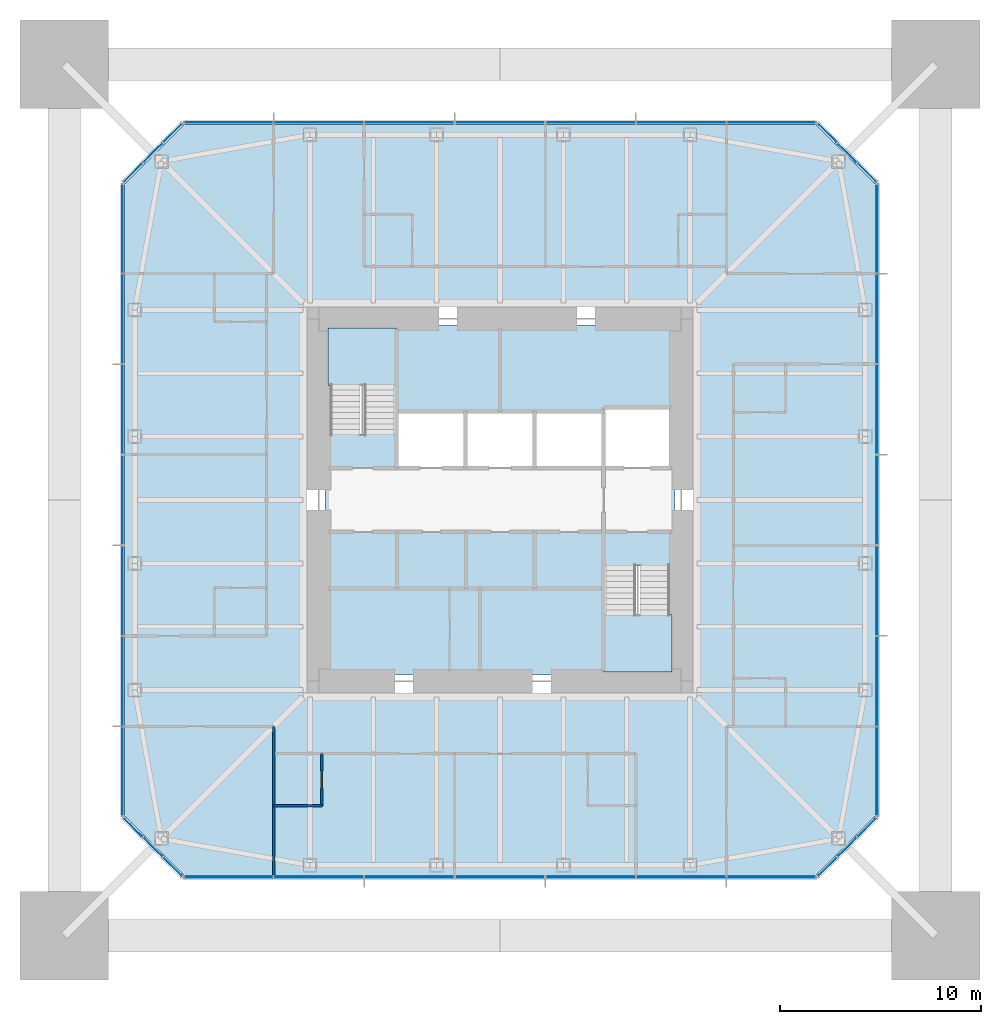
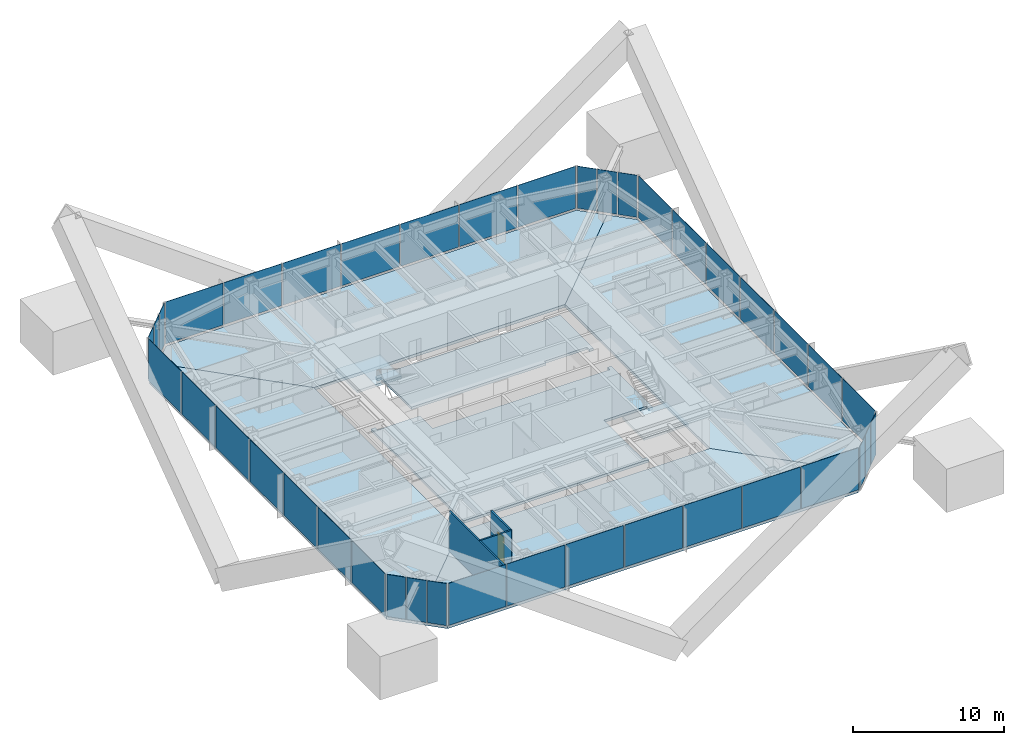
# One storey, part 7 of 13: 40 plates, 8 slabs, 3 walls, 1 door, 1 opening, 10 elements without a shape of their own.
"""IFC4 building model written with IfcOpenShell, lengths in metres."""

from ifc_helpers import new_model, si_unit, direction, frame, frame_2d, origin, origin_2d, place, context, subcontext, project, spatial, polyline, rectangle, outline, extrude, material, layer, layer_set, constituent, constituent_set, type_object, element, fill, aggregate, save


model = new_model("IFC4")

# Units and contexts
model_context = context("Model", 3, precision=1e-05, world=origin(), true_north=direction((0.0, 1.0)))
body_context = subcontext(model_context, "Body", "Model", "MODEL_VIEW")
ifc_project = project(units=[si_unit("LENGTHUNIT", "METRE"), si_unit("AREAUNIT", "SQUARE_METRE"), si_unit("VOLUMEUNIT", "CUBIC_METRE"), si_unit("PLANEANGLEUNIT", "RADIAN"), si_unit("MASSUNIT", "GRAM", prefix="KILO")], contexts=[model_context])

# Site, building, storey
site_placement = place(None, origin())
site = spatial("IfcSite", under=ifc_project, at=site_placement, CompositionType="ELEMENT")
building_placement = place(site_placement, origin())
building = spatial("IfcBuilding", under=site, at=building_placement, Name="Iwan Alto Co-Living Towers", CompositionType="ELEMENT")
storey_placement = place(building_placement, frame((0.0, 0.0, 198.5)))
storey = spatial("IfcBuildingStorey", under=building, at=storey_placement, Name="L54", CompositionType="ELEMENT", Elevation=198.5)

# Slabs
ifc_material_1 = material(Name="Concrete f'c 30 MPa", Category="concrete")
ifc_layer_1 = layer(ifc_material_1, 0.199951171875)
ifc_layer_set_1 = layer_set([ifc_layer_1], Name="CORE FLOOR SLAB 200")
slab_type_1 = type_object("IfcSlabType", Name="CORE FLOOR SLAB 200", PredefinedType="FLOOR", material=ifc_layer_set_1)
slab_1_placement = place(storey_placement, frame((0.0, 0.0, -0.199951171875)))
element("IfcSlab", 1, at=slab_1_placement, inside=storey, type_object=slab_type_1, Name="T1 core floor L54", PredefinedType="FLOOR", context=body_context, shape_type="SweptSolid", body=[
    extrude(outline(polyline([(5.14990234375, -8.39990234375), (5.4599609375, -8.39990234375), (5.4599609375, -8.699951171875), (-8.699951171875, -8.699951171875), (-8.699951171875, 3.580078125), (-8.39990234375, 3.580078125), (-8.39990234375, 3.27001953125), (-5.14990234375, 3.27001953125), (-5.14990234375, 1.60009765625), (-1.717041015625, 1.60009765625), (1.717041015625, 1.60009765625), (5.14990234375, 1.60009765625), (8.39990234375, 1.60009765625), (8.39990234375, 1.909912109375), (8.699951171875, 1.909912109375), (8.699951171875, -3.580078125), (8.39990234375, -3.580078125), (8.39990234375, -3.27001953125), (5.14990234375, -3.27001953125), (5.14990234375, -8.39990234375)])), origin(), (0.0, 0.0, 1.0), 0.199951171875),
])
slab_2_placement = place(storey_placement, frame((0.0, 0.0, -0.199951171875)))
element("IfcSlab", 2, at=slab_2_placement, inside=storey, type_object=slab_type_1, Name="T1 core floor L54", PredefinedType="FLOOR", context=body_context, shape_type="SweptSolid", body=[
    extrude(outline(polyline([(1.717041015625, 4.39990234375), (-1.717041015625, 4.39990234375), (-5.14990234375, 4.39990234375), (-5.14990234375, 8.39990234375), (-5.4599609375, 8.39990234375), (-5.4599609375, 8.699951171875), (8.699951171875, 8.699951171875), (8.699951171875, 4.2900390625), (8.39990234375, 4.2900390625), (8.39990234375, 4.60009765625), (5.14990234375, 4.60009765625), (5.14990234375, 4.39990234375), (1.717041015625, 4.39990234375)])), origin(), (0.0, 0.0, 1.0), 0.199951171875),
])

# Curtain wall, plates
ifc_material_2 = material(Name="Bronze aluminium unitised frame", Category="aluminium")
curtain_wall_type_1 = type_object("IfcCurtainWallType", Name="CURTAIN WALL CW-A", PredefinedType="NOTDEFINED", material=ifc_material_2)
curtain_wall_1_placement = place(storey_placement, origin())
curtain_wall_1 = element("IfcCurtainWall", 3, at=curtain_wall_1_placement, inside=storey, type_object=curtain_wall_type_1, Name="T1 curtain wall S L54", PredefinedType="NOTDEFINED")
ifc_material_3 = material(Name="Bronze-tinted insulating glass", Category="glass")
ifc_layer_2 = layer(ifc_material_3, 0.031982421875)
ifc_layer_set_2 = layer_set([ifc_layer_2], Name="CW-A PANEL TINTED IGU 32")
plate_type_1 = type_object("IfcPlateType", Name="CW-A PANEL TINTED IGU 32", PredefinedType="CURTAIN_PANEL", material=ifc_layer_set_2)
plate_1_placement = place(storey_placement, frame((-13.47998046875, -18.75, 0.10009765625), z_axis=(0.0, 0.0, 1.0), x_axis=(1.0, 0.0, 0.0)))
plate_1 = element("IfcPlate", 4, at=plate_1_placement, type_object=plate_type_1, Name="CW-A panel 1.1", PredefinedType="CURTAIN_PANEL", context=body_context, shape_type="SweptSolid", body=[
    extrude(rectangle(XDim=4.3798828125, YDim=0.031982421875, at=origin_2d()), origin(), (0.0, 0.0, 1.0), 3.39990234375),
])
plate_2_placement = place(storey_placement, frame((-9.0, -18.75, 0.10009765625), z_axis=(0.0, 0.0, 1.0), x_axis=(1.0, 0.0, 0.0)))
plate_2 = element("IfcPlate", 5, at=plate_2_placement, type_object=plate_type_1, Name="CW-A panel 2.1", PredefinedType="CURTAIN_PANEL", context=body_context, shape_type="SweptSolid", body=[
    extrude(rectangle(XDim=4.419921875, YDim=0.031982421875, at=origin_2d()), origin(), (0.0, 0.0, 1.0), 3.39990234375),
])
plate_3_placement = place(storey_placement, frame((-4.5, -18.75, 0.10009765625), z_axis=(0.0, 0.0, 1.0), x_axis=(1.0, 0.0, 0.0)))
plate_3 = element("IfcPlate", 6, at=plate_3_placement, type_object=plate_type_1, Name="CW-A panel 3.1", PredefinedType="CURTAIN_PANEL", context=body_context, shape_type="SweptSolid", body=[
    extrude(rectangle(XDim=4.419921875, YDim=0.031982421875, at=origin_2d()), origin(), (0.0, 0.0, 1.0), 3.39990234375),
])
plate_4_placement = place(storey_placement, frame((0.0, -18.75, 0.10009765625), z_axis=(0.0, 0.0, 1.0), x_axis=(1.0, 0.0, 0.0)))
plate_4 = element("IfcPlate", 7, at=plate_4_placement, type_object=plate_type_1, Name="CW-A panel 4.1", PredefinedType="CURTAIN_PANEL", context=body_context, shape_type="SweptSolid", body=[
    extrude(rectangle(XDim=4.419921875, YDim=0.031982421875, at=origin_2d()), origin(), (0.0, 0.0, 1.0), 3.39990234375),
])
plate_5_placement = place(storey_placement, frame((4.5, -18.75, 0.10009765625), z_axis=(0.0, 0.0, 1.0), x_axis=(1.0, 0.0, 0.0)))
plate_5 = element("IfcPlate", 8, at=plate_5_placement, type_object=plate_type_1, Name="CW-A panel 5.1", PredefinedType="CURTAIN_PANEL", context=body_context, shape_type="SweptSolid", body=[
    extrude(rectangle(XDim=4.419921875, YDim=0.031982421875, at=origin_2d()), origin(), (0.0, 0.0, 1.0), 3.39990234375),
])
plate_6_placement = place(storey_placement, frame((9.0, -18.75, 0.10009765625), z_axis=(0.0, 0.0, 1.0), x_axis=(1.0, 0.0, 0.0)))
plate_6 = element("IfcPlate", 9, at=plate_6_placement, type_object=plate_type_1, Name="CW-A panel 6.1", PredefinedType="CURTAIN_PANEL", context=body_context, shape_type="SweptSolid", body=[
    extrude(rectangle(XDim=4.419921875, YDim=0.031982421875, at=origin_2d()), origin(), (0.0, 0.0, 1.0), 3.39990234375),
])
plate_7_placement = place(storey_placement, frame((13.47998046875, -18.75, 0.10009765625), z_axis=(0.0, 0.0, 1.0), x_axis=(1.0, 0.0, 0.0)))
plate_7 = element("IfcPlate", 10, at=plate_7_placement, type_object=plate_type_1, Name="CW-A panel 7.1", PredefinedType="CURTAIN_PANEL", context=body_context, shape_type="SweptSolid", body=[
    extrude(rectangle(XDim=4.3798828125, YDim=0.031982421875, at=origin_2d()), origin(), (0.0, 0.0, 1.0), 3.39990234375),
])
aggregate(curtain_wall_1, [plate_1, plate_2, plate_3, plate_4, plate_5, plate_6, plate_7])

curtain_wall_2_placement = place(storey_placement, origin())
curtain_wall_2 = element("IfcCurtainWall", 11, at=curtain_wall_2_placement, inside=storey, type_object=curtain_wall_type_1, Name="T1 curtain wall E L54", PredefinedType="NOTDEFINED")
plate_8_placement = place(storey_placement, frame((18.75, -13.47998046875, 0.10009765625), z_axis=(0.0, 0.0, 1.0), x_axis=(0.0, 1.0, 0.0)))
plate_8 = element("IfcPlate", 12, at=plate_8_placement, type_object=plate_type_1, Name="CW-A panel 1.1", PredefinedType="CURTAIN_PANEL", context=body_context, shape_type="SweptSolid", body=[
    extrude(rectangle(XDim=4.3798828125, YDim=0.031982421875, at=origin_2d()), origin(), (0.0, 0.0, 1.0), 3.39990234375),
])
plate_9_placement = place(storey_placement, frame((18.75, -9.0, 0.10009765625), z_axis=(0.0, 0.0, 1.0), x_axis=(0.0, 1.0, 0.0)))
plate_9 = element("IfcPlate", 13, at=plate_9_placement, type_object=plate_type_1, Name="CW-A panel 2.1", PredefinedType="CURTAIN_PANEL", context=body_context, shape_type="SweptSolid", body=[
    extrude(rectangle(XDim=4.419921875, YDim=0.031982421875, at=origin_2d()), origin(), (0.0, 0.0, 1.0), 3.39990234375),
])
plate_10_placement = place(storey_placement, frame((18.75, -4.5, 0.10009765625), z_axis=(0.0, 0.0, 1.0), x_axis=(0.0, 1.0, 0.0)))
plate_10 = element("IfcPlate", 14, at=plate_10_placement, type_object=plate_type_1, Name="CW-A panel 3.1", PredefinedType="CURTAIN_PANEL", context=body_context, shape_type="SweptSolid", body=[
    extrude(rectangle(XDim=4.419921875, YDim=0.031982421875, at=origin_2d()), origin(), (0.0, 0.0, 1.0), 3.39990234375),
])
plate_11_placement = place(storey_placement, frame((18.75, 0.0, 0.10009765625), z_axis=(0.0, 0.0, 1.0), x_axis=(0.0, 1.0, 0.0)))
plate_11 = element("IfcPlate", 15, at=plate_11_placement, type_object=plate_type_1, Name="CW-A panel 4.1", PredefinedType="CURTAIN_PANEL", context=body_context, shape_type="SweptSolid", body=[
    extrude(rectangle(XDim=4.419921875, YDim=0.031982421875, at=origin_2d()), origin(), (0.0, 0.0, 1.0), 3.39990234375),
])
plate_12_placement = place(storey_placement, frame((18.75, 4.5, 0.10009765625), z_axis=(0.0, 0.0, 1.0), x_axis=(0.0, 1.0, 0.0)))
plate_12 = element("IfcPlate", 16, at=plate_12_placement, type_object=plate_type_1, Name="CW-A panel 5.1", PredefinedType="CURTAIN_PANEL", context=body_context, shape_type="SweptSolid", body=[
    extrude(rectangle(XDim=4.419921875, YDim=0.031982421875, at=origin_2d()), origin(), (0.0, 0.0, 1.0), 3.39990234375),
])
plate_13_placement = place(storey_placement, frame((18.75, 9.0, 0.10009765625), z_axis=(0.0, 0.0, 1.0), x_axis=(0.0, 1.0, 0.0)))
plate_13 = element("IfcPlate", 17, at=plate_13_placement, type_object=plate_type_1, Name="CW-A panel 6.1", PredefinedType="CURTAIN_PANEL", context=body_context, shape_type="SweptSolid", body=[
    extrude(rectangle(XDim=4.419921875, YDim=0.031982421875, at=origin_2d()), origin(), (0.0, 0.0, 1.0), 3.39990234375),
])
plate_14_placement = place(storey_placement, frame((18.75, 13.47998046875, 0.10009765625), z_axis=(0.0, 0.0, 1.0), x_axis=(0.0, 1.0, 0.0)))
plate_14 = element("IfcPlate", 18, at=plate_14_placement, type_object=plate_type_1, Name="CW-A panel 7.1", PredefinedType="CURTAIN_PANEL", context=body_context, shape_type="SweptSolid", body=[
    extrude(rectangle(XDim=4.3798828125, YDim=0.031982421875, at=origin_2d()), origin(), (0.0, 0.0, 1.0), 3.39990234375),
])
aggregate(curtain_wall_2, [plate_8, plate_9, plate_10, plate_11, plate_12, plate_13, plate_14])

curtain_wall_3_placement = place(storey_placement, origin())
curtain_wall_3 = element("IfcCurtainWall", 19, at=curtain_wall_3_placement, inside=storey, type_object=curtain_wall_type_1, Name="T1 curtain wall N L54", PredefinedType="NOTDEFINED")
plate_15_placement = place(storey_placement, frame((13.47998046875, 18.75, 0.10009765625), z_axis=(0.0, 0.0, 1.0), x_axis=(-1.0, 0.0, 0.0)))
plate_15 = element("IfcPlate", 20, at=plate_15_placement, type_object=plate_type_1, Name="CW-A panel 1.1", PredefinedType="CURTAIN_PANEL", context=body_context, shape_type="SweptSolid", body=[
    extrude(rectangle(XDim=4.3798828125, YDim=0.031982421875, at=origin_2d()), origin(), (0.0, 0.0, 1.0), 3.39990234375),
])
plate_16_placement = place(storey_placement, frame((9.0, 18.75, 0.10009765625), z_axis=(0.0, 0.0, 1.0), x_axis=(-1.0, 0.0, 0.0)))
plate_16 = element("IfcPlate", 21, at=plate_16_placement, type_object=plate_type_1, Name="CW-A panel 2.1", PredefinedType="CURTAIN_PANEL", context=body_context, shape_type="SweptSolid", body=[
    extrude(rectangle(XDim=4.419921875, YDim=0.031982421875, at=origin_2d()), origin(), (0.0, 0.0, 1.0), 3.39990234375),
])
plate_17_placement = place(storey_placement, frame((4.5, 18.75, 0.10009765625), z_axis=(0.0, 0.0, 1.0), x_axis=(-1.0, 0.0, 0.0)))
plate_17 = element("IfcPlate", 22, at=plate_17_placement, type_object=plate_type_1, Name="CW-A panel 3.1", PredefinedType="CURTAIN_PANEL", context=body_context, shape_type="SweptSolid", body=[
    extrude(rectangle(XDim=4.419921875, YDim=0.031982421875, at=origin_2d()), origin(), (0.0, 0.0, 1.0), 3.39990234375),
])
plate_18_placement = place(storey_placement, frame((0.0, 18.75, 0.10009765625), z_axis=(0.0, 0.0, 1.0), x_axis=(-1.0, 0.0, 0.0)))
plate_18 = element("IfcPlate", 23, at=plate_18_placement, type_object=plate_type_1, Name="CW-A panel 4.1", PredefinedType="CURTAIN_PANEL", context=body_context, shape_type="SweptSolid", body=[
    extrude(rectangle(XDim=4.419921875, YDim=0.031982421875, at=origin_2d()), origin(), (0.0, 0.0, 1.0), 3.39990234375),
])
plate_19_placement = place(storey_placement, frame((-4.5, 18.75, 0.10009765625), z_axis=(0.0, 0.0, 1.0), x_axis=(-1.0, 0.0, 0.0)))
plate_19 = element("IfcPlate", 24, at=plate_19_placement, type_object=plate_type_1, Name="CW-A panel 5.1", PredefinedType="CURTAIN_PANEL", context=body_context, shape_type="SweptSolid", body=[
    extrude(rectangle(XDim=4.419921875, YDim=0.031982421875, at=origin_2d()), origin(), (0.0, 0.0, 1.0), 3.39990234375),
])
plate_20_placement = place(storey_placement, frame((-9.0, 18.75, 0.10009765625), z_axis=(0.0, 0.0, 1.0), x_axis=(-1.0, 0.0, 0.0)))
plate_20 = element("IfcPlate", 25, at=plate_20_placement, type_object=plate_type_1, Name="CW-A panel 6.1", PredefinedType="CURTAIN_PANEL", context=body_context, shape_type="SweptSolid", body=[
    extrude(rectangle(XDim=4.419921875, YDim=0.031982421875, at=origin_2d()), origin(), (0.0, 0.0, 1.0), 3.39990234375),
])
plate_21_placement = place(storey_placement, frame((-13.47998046875, 18.75, 0.10009765625), z_axis=(0.0, 0.0, 1.0), x_axis=(-1.0, 0.0, 0.0)))
plate_21 = element("IfcPlate", 26, at=plate_21_placement, type_object=plate_type_1, Name="CW-A panel 7.1", PredefinedType="CURTAIN_PANEL", context=body_context, shape_type="SweptSolid", body=[
    extrude(rectangle(XDim=4.3798828125, YDim=0.031982421875, at=origin_2d()), origin(), (0.0, 0.0, 1.0), 3.39990234375),
])
aggregate(curtain_wall_3, [plate_15, plate_16, plate_17, plate_18, plate_19, plate_20, plate_21])

curtain_wall_4_placement = place(storey_placement, origin())
curtain_wall_4 = element("IfcCurtainWall", 27, at=curtain_wall_4_placement, inside=storey, type_object=curtain_wall_type_1, Name="T1 curtain wall W L54", PredefinedType="NOTDEFINED")
plate_22_placement = place(storey_placement, frame((-18.75, 13.47998046875, 0.10009765625), z_axis=(0.0, 0.0, 1.0), x_axis=(0.0, -1.0, 0.0)))
plate_22 = element("IfcPlate", 28, at=plate_22_placement, type_object=plate_type_1, Name="CW-A panel 1.1", PredefinedType="CURTAIN_PANEL", context=body_context, shape_type="SweptSolid", body=[
    extrude(rectangle(XDim=4.3798828125, YDim=0.031982421875, at=origin_2d()), origin(), (0.0, 0.0, 1.0), 3.39990234375),
])
plate_23_placement = place(storey_placement, frame((-18.75, 9.0, 0.10009765625), z_axis=(0.0, 0.0, 1.0), x_axis=(0.0, -1.0, 0.0)))
plate_23 = element("IfcPlate", 29, at=plate_23_placement, type_object=plate_type_1, Name="CW-A panel 2.1", PredefinedType="CURTAIN_PANEL", context=body_context, shape_type="SweptSolid", body=[
    extrude(rectangle(XDim=4.419921875, YDim=0.031982421875, at=origin_2d()), origin(), (0.0, 0.0, 1.0), 3.39990234375),
])
plate_24_placement = place(storey_placement, frame((-18.75, 4.5, 0.10009765625), z_axis=(0.0, 0.0, 1.0), x_axis=(0.0, -1.0, 0.0)))
plate_24 = element("IfcPlate", 30, at=plate_24_placement, type_object=plate_type_1, Name="CW-A panel 3.1", PredefinedType="CURTAIN_PANEL", context=body_context, shape_type="SweptSolid", body=[
    extrude(rectangle(XDim=4.419921875, YDim=0.031982421875, at=origin_2d()), origin(), (0.0, 0.0, 1.0), 3.39990234375),
])
plate_25_placement = place(storey_placement, frame((-18.75, 0.0, 0.10009765625), z_axis=(0.0, 0.0, 1.0), x_axis=(0.0, -1.0, 0.0)))
plate_25 = element("IfcPlate", 31, at=plate_25_placement, type_object=plate_type_1, Name="CW-A panel 4.1", PredefinedType="CURTAIN_PANEL", context=body_context, shape_type="SweptSolid", body=[
    extrude(rectangle(XDim=4.419921875, YDim=0.031982421875, at=origin_2d()), origin(), (0.0, 0.0, 1.0), 3.39990234375),
])
plate_26_placement = place(storey_placement, frame((-18.75, -4.5, 0.10009765625), z_axis=(0.0, 0.0, 1.0), x_axis=(0.0, -1.0, 0.0)))
plate_26 = element("IfcPlate", 32, at=plate_26_placement, type_object=plate_type_1, Name="CW-A panel 5.1", PredefinedType="CURTAIN_PANEL", context=body_context, shape_type="SweptSolid", body=[
    extrude(rectangle(XDim=4.419921875, YDim=0.031982421875, at=origin_2d()), origin(), (0.0, 0.0, 1.0), 3.39990234375),
])
plate_27_placement = place(storey_placement, frame((-18.75, -9.0, 0.10009765625), z_axis=(0.0, 0.0, 1.0), x_axis=(0.0, -1.0, 0.0)))
plate_27 = element("IfcPlate", 33, at=plate_27_placement, type_object=plate_type_1, Name="CW-A panel 6.1", PredefinedType="CURTAIN_PANEL", context=body_context, shape_type="SweptSolid", body=[
    extrude(rectangle(XDim=4.419921875, YDim=0.031982421875, at=origin_2d()), origin(), (0.0, 0.0, 1.0), 3.39990234375),
])
plate_28_placement = place(storey_placement, frame((-18.75, -13.47998046875, 0.10009765625), z_axis=(0.0, 0.0, 1.0), x_axis=(0.0, -1.0, 0.0)))
plate_28 = element("IfcPlate", 34, at=plate_28_placement, type_object=plate_type_1, Name="CW-A panel 7.1", PredefinedType="CURTAIN_PANEL", context=body_context, shape_type="SweptSolid", body=[
    extrude(rectangle(XDim=4.3798828125, YDim=0.031982421875, at=origin_2d()), origin(), (0.0, 0.0, 1.0), 3.39990234375),
])
aggregate(curtain_wall_4, [plate_22, plate_23, plate_24, plate_25, plate_26, plate_27, plate_28])

ifc_material_4 = material(Name="Bronze aluminium unitised frame", Category="aluminium")
curtain_wall_type_2 = type_object("IfcCurtainWallType", Name="CURTAIN WALL CW-B", PredefinedType="NOTDEFINED", material=ifc_material_4)
curtain_wall_5_placement = place(storey_placement, origin())
curtain_wall_5 = element("IfcCurtainWall", 35, at=curtain_wall_5_placement, inside=storey, type_object=curtain_wall_type_2, Name="T1 chamfer curtain wall SE L54", PredefinedType="NOTDEFINED")
ifc_material_5 = material(Name="Bronze-tinted insulating glass", Category="glass")
ifc_layer_3 = layer(ifc_material_5, 0.031982421875)
ifc_layer_set_3 = layer_set([ifc_layer_3], Name="CW-B PANEL TINTED IGU 32")
plate_type_2 = type_object("IfcPlateType", Name="CW-B PANEL TINTED IGU 32", PredefinedType="CURTAIN_PANEL", material=ifc_layer_set_3)
plate_29_placement = place(storey_placement, frame((16.26416015625, -18.23583984375, 0.10009765625), z_axis=(0.0, 0.0, 1.0), x_axis=(0.707106781187, 0.707106781187, 0.0)))
plate_29 = element("IfcPlate", 36, at=plate_29_placement, type_object=plate_type_2, Name="CW-B panel 1.1", PredefinedType="CURTAIN_PANEL", context=body_context, shape_type="SweptSolid", body=[
    extrude(rectangle(XDim=1.294189453125, YDim=0.031982421875, at=origin_2d()), origin(), (0.0, 0.0, 1.0), 3.39990234375),
])
plate_30_placement = place(storey_placement, frame((17.25, -17.25, 0.10009765625), z_axis=(0.0, 0.0, 1.0), x_axis=(0.707106781187, 0.707106781187, 0.0)))
plate_30 = element("IfcPlate", 37, at=plate_30_placement, type_object=plate_type_2, Name="CW-B panel 2.1", PredefinedType="CURTAIN_PANEL", context=body_context, shape_type="SweptSolid", body=[
    extrude(rectangle(XDim=1.334228515625, YDim=0.031982421875, at=origin_2d()), origin(), (0.0, 0.0, 1.0), 3.39990234375),
])
plate_31_placement = place(storey_placement, frame((18.23583984375, -16.26416015625, 0.10009765625), z_axis=(0.0, 0.0, 1.0), x_axis=(0.707106781187, 0.707106781187, 0.0)))
plate_31 = element("IfcPlate", 38, at=plate_31_placement, type_object=plate_type_2, Name="CW-B panel 3.1", PredefinedType="CURTAIN_PANEL", context=body_context, shape_type="SweptSolid", body=[
    extrude(rectangle(XDim=1.294189453125, YDim=0.031982421875, at=origin_2d()), origin(), (0.0, 0.0, 1.0), 3.39990234375),
])
aggregate(curtain_wall_5, [plate_29, plate_30, plate_31])

curtain_wall_6_placement = place(storey_placement, origin())
curtain_wall_6 = element("IfcCurtainWall", 39, at=curtain_wall_6_placement, inside=storey, type_object=curtain_wall_type_2, Name="T1 chamfer curtain wall NE L54", PredefinedType="NOTDEFINED")
plate_32_placement = place(storey_placement, frame((18.23583984375, 16.26416015625, 0.10009765625), z_axis=(0.0, 0.0, 1.0), x_axis=(-0.707106781187, 0.707106781187, 0.0)))
plate_32 = element("IfcPlate", 40, at=plate_32_placement, type_object=plate_type_2, Name="CW-B panel 1.1", PredefinedType="CURTAIN_PANEL", context=body_context, shape_type="SweptSolid", body=[
    extrude(rectangle(XDim=1.294189453125, YDim=0.031982421875, at=origin_2d()), origin(), (0.0, 0.0, 1.0), 3.39990234375),
])
plate_33_placement = place(storey_placement, frame((17.25, 17.25, 0.10009765625), z_axis=(0.0, 0.0, 1.0), x_axis=(-0.707106781187, 0.707106781187, 0.0)))
plate_33 = element("IfcPlate", 41, at=plate_33_placement, type_object=plate_type_2, Name="CW-B panel 2.1", PredefinedType="CURTAIN_PANEL", context=body_context, shape_type="SweptSolid", body=[
    extrude(rectangle(XDim=1.334228515625, YDim=0.031982421875, at=origin_2d()), origin(), (0.0, 0.0, 1.0), 3.39990234375),
])
plate_34_placement = place(storey_placement, frame((16.26416015625, 18.23583984375, 0.10009765625), z_axis=(0.0, 0.0, 1.0), x_axis=(-0.707106781187, 0.707106781187, 0.0)))
plate_34 = element("IfcPlate", 42, at=plate_34_placement, type_object=plate_type_2, Name="CW-B panel 3.1", PredefinedType="CURTAIN_PANEL", context=body_context, shape_type="SweptSolid", body=[
    extrude(rectangle(XDim=1.294189453125, YDim=0.031982421875, at=origin_2d()), origin(), (0.0, 0.0, 1.0), 3.39990234375),
])
aggregate(curtain_wall_6, [plate_32, plate_33, plate_34])

curtain_wall_7_placement = place(storey_placement, origin())
curtain_wall_7 = element("IfcCurtainWall", 43, at=curtain_wall_7_placement, inside=storey, type_object=curtain_wall_type_2, Name="T1 chamfer curtain wall NW L54", PredefinedType="NOTDEFINED")
plate_35_placement = place(storey_placement, frame((-16.26416015625, 18.23583984375, 0.10009765625), z_axis=(0.0, 0.0, 1.0), x_axis=(-0.707106781187, -0.707106781187, 0.0)))
plate_35 = element("IfcPlate", 44, at=plate_35_placement, type_object=plate_type_2, Name="CW-B panel 1.1", PredefinedType="CURTAIN_PANEL", context=body_context, shape_type="SweptSolid", body=[
    extrude(rectangle(XDim=1.294189453125, YDim=0.031982421875, at=origin_2d()), origin(), (0.0, 0.0, 1.0), 3.39990234375),
])
plate_36_placement = place(storey_placement, frame((-17.25, 17.25, 0.10009765625), z_axis=(0.0, 0.0, 1.0), x_axis=(-0.707106781187, -0.707106781187, 0.0)))
plate_36 = element("IfcPlate", 45, at=plate_36_placement, type_object=plate_type_2, Name="CW-B panel 2.1", PredefinedType="CURTAIN_PANEL", context=body_context, shape_type="SweptSolid", body=[
    extrude(rectangle(XDim=1.334228515625, YDim=0.031982421875, at=origin_2d()), origin(), (0.0, 0.0, 1.0), 3.39990234375),
])
plate_37_placement = place(storey_placement, frame((-18.23583984375, 16.26416015625, 0.10009765625), z_axis=(0.0, 0.0, 1.0), x_axis=(-0.707106781187, -0.707106781187, 0.0)))
plate_37 = element("IfcPlate", 46, at=plate_37_placement, type_object=plate_type_2, Name="CW-B panel 3.1", PredefinedType="CURTAIN_PANEL", context=body_context, shape_type="SweptSolid", body=[
    extrude(rectangle(XDim=1.294189453125, YDim=0.031982421875, at=origin_2d()), origin(), (0.0, 0.0, 1.0), 3.39990234375),
])
aggregate(curtain_wall_7, [plate_35, plate_36, plate_37])

curtain_wall_8_placement = place(storey_placement, origin())
curtain_wall_8 = element("IfcCurtainWall", 47, at=curtain_wall_8_placement, inside=storey, type_object=curtain_wall_type_2, Name="T1 chamfer curtain wall SW L54", PredefinedType="NOTDEFINED")
plate_38_placement = place(storey_placement, frame((-18.23583984375, -16.26416015625, 0.10009765625), z_axis=(0.0, 0.0, 1.0), x_axis=(0.707106781187, -0.707106781187, 0.0)))
plate_38 = element("IfcPlate", 48, at=plate_38_placement, type_object=plate_type_2, Name="CW-B panel 1.1", PredefinedType="CURTAIN_PANEL", context=body_context, shape_type="SweptSolid", body=[
    extrude(rectangle(XDim=1.294189453125, YDim=0.031982421875, at=origin_2d()), origin(), (0.0, 0.0, 1.0), 3.39990234375),
])
plate_39_placement = place(storey_placement, frame((-17.25, -17.25, 0.10009765625), z_axis=(0.0, 0.0, 1.0), x_axis=(0.707106781187, -0.707106781187, 0.0)))
plate_39 = element("IfcPlate", 49, at=plate_39_placement, type_object=plate_type_2, Name="CW-B panel 2.1", PredefinedType="CURTAIN_PANEL", context=body_context, shape_type="SweptSolid", body=[
    extrude(rectangle(XDim=1.334228515625, YDim=0.031982421875, at=origin_2d()), origin(), (0.0, 0.0, 1.0), 3.39990234375),
])
plate_40_placement = place(storey_placement, frame((-16.26416015625, -18.23583984375, 0.10009765625), z_axis=(0.0, 0.0, 1.0), x_axis=(0.707106781187, -0.707106781187, 0.0)))
plate_40 = element("IfcPlate", 50, at=plate_40_placement, type_object=plate_type_2, Name="CW-B panel 3.1", PredefinedType="CURTAIN_PANEL", context=body_context, shape_type="SweptSolid", body=[
    extrude(rectangle(XDim=1.294189453125, YDim=0.031982421875, at=origin_2d()), origin(), (0.0, 0.0, 1.0), 3.39990234375),
])
aggregate(curtain_wall_8, [plate_38, plate_39, plate_40])

# Stair, slab
ifc_material_6 = material(Name="Steel ASTM A36", Category="steel")
ifc_constituent_1 = constituent(ifc_material_6, Name="Stringers", Category="LoadBearing")
ifc_material_7 = material(Name="Concrete f'c 30 MPa", Category="concrete")
ifc_constituent_2 = constituent(ifc_material_7, Name="Tread fill", Category="Finish")
ifc_constituent_set = constituent_set(constituents=[ifc_constituent_1, ifc_constituent_2], Name="STAIR 3500 TWO-FLIGHT T1 CORE")
stair_type = type_object("IfcStairType", Name="STAIR 3500 TWO-FLIGHT T1 CORE", PredefinedType="HALF_TURN_STAIR", material=ifc_constituent_set)
stair_1_placement = place(storey_placement, origin())
stair_1 = element("IfcStair", 51, at=stair_1_placement, inside=storey, type_object=stair_type, Name="Stair T1-S1 L54 to L55", PredefinedType="HALF_TURN_STAIR")
ifc_material_8 = material(Name="Concrete f'c 30 MPa", Category="concrete")
ifc_layer_4 = layer(ifc_material_8, 0.199951171875)
ifc_layer_set_4 = layer_set([ifc_layer_4], Name="STAIR LANDING 200")
slab_type_2 = type_object("IfcSlabType", Name="STAIR LANDING 200", PredefinedType="LANDING", material=ifc_layer_set_4)
slab_3_placement = place(storey_placement, frame((0.0, 0.0, 1.550048828125)))
slab_3 = element("IfcSlab", 52, at=slab_3_placement, type_object=slab_type_2, Name="T1-S1 landing 1", PredefinedType="LANDING", context=body_context, shape_type="SweptSolid", body=[
    extrude(outline(polyline([(-8.550048828125, 5.68994140625), (-8.550048828125, 8.550048828125), (-5.14990234375, 8.550048828125), (-5.14990234375, 5.68994140625), (-8.550048828125, 5.68994140625)])), origin(), (0.0, 0.0, 1.0), 0.199951171875),
])
aggregate(stair_1, [slab_3])

stair_2_placement = place(storey_placement, origin())
stair_2 = element("IfcStair", 53, at=stair_2_placement, inside=storey, type_object=stair_type, Name="Stair T1-S2 L54 to L55", PredefinedType="HALF_TURN_STAIR")
slab_4_placement = place(storey_placement, frame((0.0, 0.0, 1.550048828125)))
slab_4 = element("IfcSlab", 54, at=slab_4_placement, type_object=slab_type_2, Name="T1-S2 landing 1", PredefinedType="LANDING", context=body_context, shape_type="SweptSolid", body=[
    extrude(outline(polyline([(5.14990234375, -5.68994140625), (5.14990234375, -8.550048828125), (8.550048828125, -8.550048828125), (8.550048828125, -5.68994140625), (5.14990234375, -5.68994140625)])), origin(), (0.0, 0.0, 1.0), 0.199951171875),
])
aggregate(stair_2, [slab_4])

# Slabs
ifc_material_9 = material(Name="Concrete f'c 30 MPa", Category="concrete")
ifc_layer_5 = layer(ifc_material_9, 0.22998046875)
ifc_layer_set_5 = layer_set([ifc_layer_5], Name="T1 FLOOR SLAB 230")
slab_type_3 = type_object("IfcSlabType", Name="T1 FLOOR SLAB 230", PredefinedType="FLOOR", material=ifc_layer_set_5)
slab_5_placement = place(storey_placement, frame((0.0, 0.0, -0.22998046875)))
element("IfcSlab", 55, at=slab_5_placement, inside=storey, type_object=slab_type_3, Name="T1 floor slab L54 S pour", PredefinedType="FLOOR", context=body_context, shape_type="SweptSolid", body=[
    extrude(outline(polyline([(15.69140625, -18.64990234375), (-15.69140625, -18.64990234375), (-17.170654296875, -17.170654296875), (-9.60009765625, -9.60009765625), (9.60009765625, -9.60009765625), (17.170654296875, -17.170654296875), (15.69140625, -18.64990234375)])), origin(), (0.0, 0.0, 1.0), 0.22998046875),
])
slab_6_placement = place(storey_placement, frame((0.0, 0.0, -0.22998046875)))
element("IfcSlab", 56, at=slab_6_placement, inside=storey, type_object=slab_type_3, Name="T1 floor slab L54 E pour", PredefinedType="FLOOR", context=body_context, shape_type="SweptSolid", body=[
    extrude(outline(polyline([(18.64990234375, 15.69140625), (18.64990234375, -15.69140625), (17.170654296875, -17.170654296875), (9.60009765625, -9.60009765625), (9.60009765625, 9.60009765625), (17.170654296875, 17.170654296875), (18.64990234375, 15.69140625)])), origin(), (0.0, 0.0, 1.0), 0.22998046875),
])
slab_7_placement = place(storey_placement, frame((0.0, 0.0, -0.22998046875)))
element("IfcSlab", 57, at=slab_7_placement, inside=storey, type_object=slab_type_3, Name="T1 floor slab L54 N pour", PredefinedType="FLOOR", context=body_context, shape_type="SweptSolid", body=[
    extrude(outline(polyline([(-15.69140625, 18.64990234375), (15.69140625, 18.64990234375), (17.170654296875, 17.170654296875), (9.60009765625, 9.60009765625), (-9.60009765625, 9.60009765625), (-17.170654296875, 17.170654296875), (-15.69140625, 18.64990234375)])), origin(), (0.0, 0.0, 1.0), 0.22998046875),
])
slab_8_placement = place(storey_placement, frame((0.0, 0.0, -0.22998046875)))
element("IfcSlab", 58, at=slab_8_placement, inside=storey, type_object=slab_type_3, Name="T1 floor slab L54 W pour", PredefinedType="FLOOR", context=body_context, shape_type="SweptSolid", body=[
    extrude(outline(polyline([(-18.64990234375, 15.69140625), (-17.170654296875, 17.170654296875), (-9.60009765625, 9.60009765625), (-9.60009765625, -9.60009765625), (-17.170654296875, -17.170654296875), (-18.64990234375, -15.69140625), (-18.64990234375, 15.69140625)])), origin(), (0.0, 0.0, 1.0), 0.22998046875),
])

# Wall
ifc_material_10 = material(Name="Cement board")
ifc_layer_6 = layer(ifc_material_10, 0.012451171875, Name="Board", Category="Finish")
ifc_material_11 = material(Name="Steel ASTM A1003 ST33H cold-formed studs", Category="steel")
ifc_layer_7 = layer(ifc_material_11, 0.094970703125, Name="Studs", Category="Framing")
ifc_layer_8 = layer(ifc_material_10, 0.012451171875, Name="Board", Category="Finish")
ifc_layer_set_6 = layer_set([ifc_layer_6, ifc_layer_7, ifc_layer_8], Name="WET AREA PARTITION 120")
wall_type = type_object("IfcWallType", Name="WET AREA PARTITION 120", PredefinedType="PARTITIONING", material=ifc_layer_set_6)
wall_1_placement = place(storey_placement, frame((-11.25, -15.199951171875, 0.0), z_axis=(0.0, 0.0, 1.0), x_axis=(1.0, 0.0, 0.0)))
element("IfcWall", 59, at=wall_1_placement, inside=storey, type_object=wall_type, Name="Partition L54", PredefinedType="PARTITIONING", context=body_context, shape_type="SweptSolid", body=[
    extrude(rectangle(XDim=2.39990234375, YDim=0.1201171875, at=frame_2d((1.199951171875, 0.0))), origin(), (0.0, 0.0, 1.0), 3.27001953125),
])

# Wall, opening, door
wall_2_placement = place(storey_placement, frame((-8.85009765625, -15.199951171875, 0.0), z_axis=(0.0, 0.0, 1.0), x_axis=(0.0, 1.0, 0.0)))
wall_2 = element("IfcWall", 60, at=wall_2_placement, inside=storey, type_object=wall_type, Name="Partition L54", PredefinedType="PARTITIONING", context=body_context, shape_type="SweptSolid", body=[
    extrude(rectangle(XDim=2.599853515625, YDim=0.1201171875, at=frame_2d((1.2998046875, 0.0))), origin(), (0.0, 0.0, 1.0), 3.27001953125),
])
opening_placement = place(wall_2_placement, frame((0.875, 0.0, 0.0)))
opening = element("IfcOpeningElement", 61, at=opening_placement, cuts=wall_2, Name="Opening D2", PredefinedType="OPENING", context=body_context, shape_type="SweptSolid", body=[
    extrude(rectangle(XDim=0.85009765625, YDim=2.10009765625, at=frame_2d((0.425048828125, 1.050048828125))), frame((0.0, 0.070068359375, 0.0), z_axis=(0.0, -1.0, 0.0), x_axis=(1.0, 0.0, 0.0)), (0.0, 0.0, 1.0), 0.14013671875),
])
ifc_material_12 = material(Name="Timber leaf in steel frame", Category="steel")
door_type = type_object("IfcDoorType", Name="ROOM DOOR 850X2100", OperationType="SINGLE_SWING_LEFT", PredefinedType="DOOR", material=ifc_material_12)
door_placement = place(opening_placement, frame((0.85009765625, 0.0, 0.0), z_axis=(0.0, 0.0, 1.0), x_axis=(-1.0, 0.0, 0.0)))
door = element("IfcDoor", 62, at=door_placement, inside=storey, type_object=door_type, Name="En-suite shower room door L54", OperationType="SINGLE_SWING_LEFT", OverallHeight=2.10009765625, OverallWidth=0.85009765625, PredefinedType="DOOR", context=body_context, shape_type="SweptSolid", body=[
    extrude(rectangle(XDim=0.85009765625, YDim=2.10009765625, at=frame_2d((0.425048828125, 1.050048828125))), frame((0.0, 0.02490234375, 0.0), z_axis=(0.0, -1.0, 0.0), x_axis=(1.0, 0.0, 0.0)), (0.0, 0.0, 1.0), 0.050048828125),
])
fill(opening, door)

# Wall
wall_3_placement = place(storey_placement, frame((-11.25, -18.68994140625, 0.0), z_axis=(0.0, 0.0, 1.0), x_axis=(0.0, 1.0, 0.0)))
element("IfcWall", 63, at=wall_3_placement, inside=storey, type_object=wall_type, Name="Partition L54", PredefinedType="PARTITIONING", context=body_context, shape_type="SweptSolid", body=[
    extrude(rectangle(XDim=7.43994140625, YDim=0.1201171875, at=frame_2d((3.719970703125, 0.0))), origin(), (0.0, 0.0, 1.0), 3.27001953125),
])

save(model, "model.ifc")
